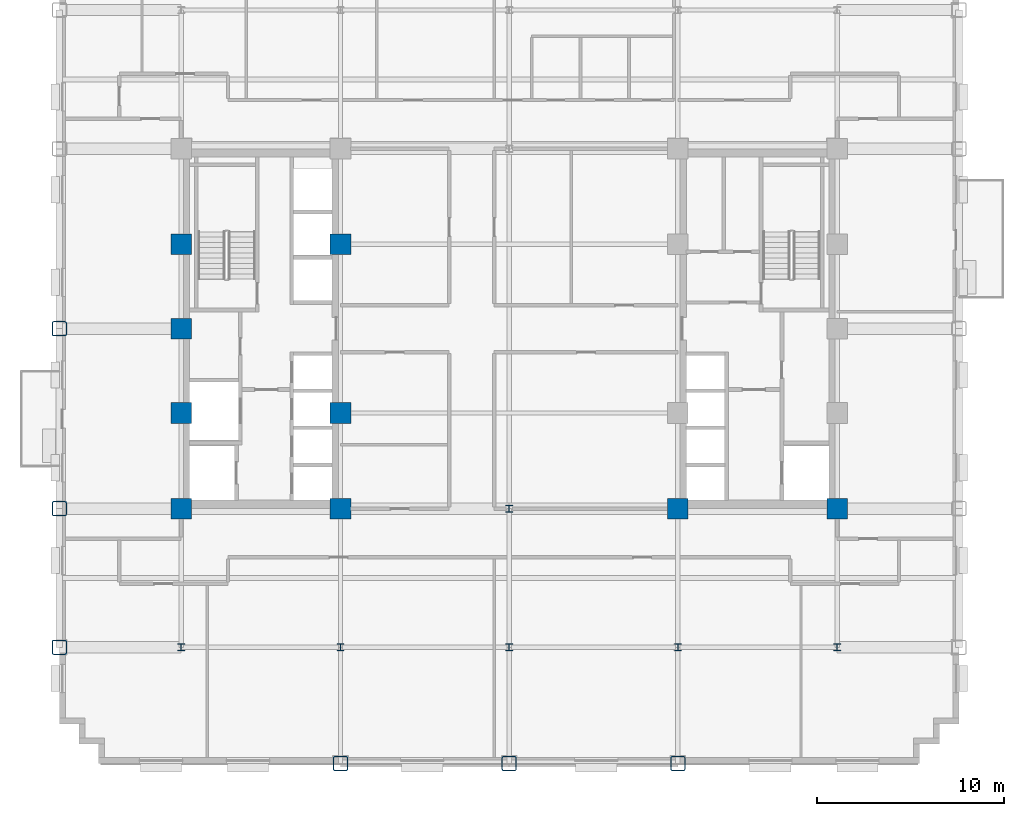
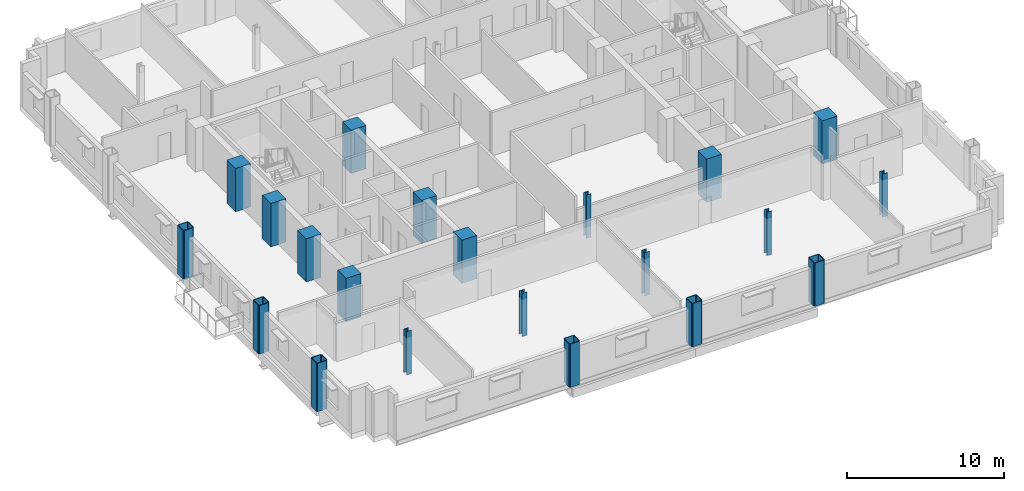
# One storey, part 1 of 15: 21 columns.
"""IFC4 building model written with IfcOpenShell, lengths in metres."""

from ifc_helpers import new_model, si_unit, direction, frame, origin, origin_2d, place, context, subcontext, project, spatial, rectangle, hollow_rectangle, i_section, extrude, material, material_profile, profile_set, type_object, element, save


model = new_model("IFC4")

# Units and contexts
model_context = context("Model", 3, precision=1e-05, world=origin(), true_north=direction((0.0, 1.0)))
body_context = subcontext(model_context, "Body", "Model", "MODEL_VIEW")
ifc_project = project(units=[si_unit("LENGTHUNIT", "METRE"), si_unit("AREAUNIT", "SQUARE_METRE"), si_unit("VOLUMEUNIT", "CUBIC_METRE"), si_unit("PLANEANGLEUNIT", "RADIAN"), si_unit("MASSUNIT", "GRAM", prefix="KILO")], contexts=[model_context])

# Site, building, storey
site_placement = place(None, origin())
site = spatial("IfcSite", under=ifc_project, at=site_placement, CompositionType="ELEMENT")
building_placement = place(site_placement, origin())
building = spatial("IfcBuilding", under=site, at=building_placement, Name="Nuvemarco Arch Tower", CompositionType="ELEMENT")
storey_placement = place(building_placement, frame((0.0, 0.0, 86.0)))
storey = spatial("IfcBuildingStorey", under=building, at=storey_placement, Name="L22", CompositionType="ELEMENT", Elevation=86.0)

# Columns
ifc_material_1 = material(Name="Concrete C60/75", Category="concrete")
ifc_material_profile_1 = material_profile(ifc_material_1, rectangle(XDim=1.10009765625, YDim=1.10009765625, at=origin_2d()), Name="RC-COL-1100x1100")
ifc_profile_set_1 = profile_set([ifc_material_profile_1], Name="Concrete C60/75")
column_type_1 = type_object("IfcColumnType", Name="COL-CORE-1100", PredefinedType="COLUMN", material=ifc_profile_set_1)
for number, where, z_axis, x_axis, name in (
    (1, (-17.5, -9.60009765625, 0.0), (0.0, 0.0, 1.0), (1.0, 0.0, 0.0), "L22 column CC_-17.5_-9.6"),
    (2, (-17.5, -4.5, 0.0), (0.0, 0.0, 1.0), (1.0, 0.0, 0.0), "L22 column CC_-17.5_-4.5"),
    (3, (-17.5, 4.5, 0.0), (0.0, 0.0, 1.0), (1.0, 0.0, 0.0), "L22 column CC_-17.5_+4.5"),
    (4, (-9.0, -9.60009765625, 0.0), (0.0, 0.0, 1.0), (1.0, 0.0, 0.0), "L22 column CC_-9.0_-9.6"),
    (5, (-9.0, -4.5, 0.0), (0.0, 0.0, 1.0), (1.0, 0.0, 0.0), "L22 column CC_-9.0_-4.5"),
    (6, (-9.0, 4.5, 0.0), (0.0, 0.0, 1.0), (1.0, 0.0, 0.0), "L22 column CC_-9.0_+4.5"),
    (7, (9.0, -9.60009765625, 0.0), (0.0, 0.0, 1.0), (1.0, 0.0, 0.0), "L22 column CC_+9.0_-9.6"),
    (8, (17.5, -9.60009765625, 0.0), (0.0, 0.0, 1.0), (1.0, 0.0, 0.0), "L22 column CC_+17.5_-9.6"),
    (9, (-17.5, 0.0, 0.0), (0.0, 0.0, 1.0), (1.0, 0.0, 0.0), "L22 column CC_-17.5_+0.0"),
):
    element("IfcColumn", number, at=place(storey_placement, frame(where, z_axis=z_axis, x_axis=x_axis)), inside=storey, type_object=column_type_1, Name=name, PredefinedType="COLUMN", context=body_context, shape_type="SweptSolid", body=[
        extrude(rectangle(XDim=1.10009765625, YDim=1.10009765625, at=origin_2d()), origin(), (0.0, 0.0, 1.0), 3.3701171875),
    ])
ifc_material_2 = material(Name="Steel S460", Category="steel")
ifc_material_profile_2 = material_profile(ifc_material_2, hollow_rectangle(XDim=0.800048828125, YDim=0.800048828125, WallThickness=0.054931640625, InnerFilletRadius=0.054931640625, OuterFilletRadius=0.110107421875, at=origin_2d()), Name="SHS800x800x55")
ifc_profile_set_2 = profile_set([ifc_material_profile_2], Name="Steel S460")
column_type_2 = type_object("IfcColumnType", Name="COL-EXO-800", PredefinedType="COLUMN", material=ifc_profile_set_2)
for number, where, z_axis, x_axis, name in (
    (10, (-24.0, -17.0, -0.39990234375), (0.0, 0.0, 1.0), (1.0, 0.0, 0.0), "L22 column CX_-24.0_-17.0"),
    (11, (-24.0, -9.60009765625, -0.39990234375), (0.0, 0.0, 1.0), (1.0, 0.0, 0.0), "L22 column CX_-24.0_-9.6"),
    (12, (-24.0, 0.0, -0.39990234375), (0.0, 0.0, 1.0), (1.0, 0.0, 0.0), "L22 column CX_-24.0_+0.0"),
):
    element("IfcColumn", number, at=place(storey_placement, frame(where, z_axis=z_axis, x_axis=x_axis)), inside=storey, type_object=column_type_2, Name=name, PredefinedType="COLUMN", context=body_context, shape_type="SweptSolid", body=[
        extrude(hollow_rectangle(XDim=0.800048828125, YDim=0.800048828125, WallThickness=0.054931640625, InnerFilletRadius=0.054931640625, OuterFilletRadius=0.110107421875, at=origin_2d()), origin(), (0.0, 0.0, 1.0), 3.77001953125),
    ])
for number, where, z_axis, x_axis, name in (
    (13, (-9.0, -23.199951171875, 0.0), (0.0, 0.0, 1.0), (1.0, 0.0, 0.0), "L22 column CY_-9.0_-23.2"),
    (14, (0.0, -23.199951171875, 0.0), (0.0, 0.0, 1.0), (1.0, 0.0, 0.0), "L22 column CY_+0.0_-23.2"),
    (15, (9.0, -23.199951171875, 0.0), (0.0, 0.0, 1.0), (1.0, 0.0, 0.0), "L22 column CY_+9.0_-23.2"),
):
    element("IfcColumn", number, at=place(storey_placement, frame(where, z_axis=z_axis, x_axis=x_axis)), inside=storey, type_object=column_type_2, Name=name, PredefinedType="COLUMN", context=body_context, shape_type="SweptSolid", body=[
        extrude(hollow_rectangle(XDim=0.800048828125, YDim=0.800048828125, WallThickness=0.054931640625, InnerFilletRadius=0.054931640625, OuterFilletRadius=0.110107421875, at=origin_2d()), origin(), (0.0, 0.0, 1.0), 3.3701171875),
    ])
ifc_material_3 = material(Name="Steel S355", Category="steel")
ifc_material_profile_3 = material_profile(ifc_material_3, i_section(OverallWidth=0.360107421875, OverallDepth=0.360107421875, WebThickness=0.0205078125, FlangeThickness=0.0205078125, FilletRadius=0.01806640625, at=origin_2d()), Name="HP360x174")
ifc_profile_set_3 = profile_set([ifc_material_profile_3], Name="Steel S355")
column_type_3 = type_object("IfcColumnType", Name="COL-STL-HP360", PredefinedType="COLUMN", material=ifc_profile_set_3)
for number, where, z_axis, x_axis, name in (
    (16, (0.0, -17.0, 0.0), (0.0, 0.0, 1.0), (1.0, 0.0, 0.0), "L22 column CI_+0.0_-17.0"),
    (17, (0.0, -9.60009765625, 0.0), (0.0, 0.0, 1.0), (1.0, 0.0, 0.0), "L22 column CI_+0.0_-9.6"),
    (18, (-17.5, -17.0, 0.0), (0.0, 0.0, 1.0), (1.0, 0.0, 0.0), "L22 column CI_-17.5_-17.0"),
    (19, (-9.0, -17.0, 0.0), (0.0, 0.0, 1.0), (1.0, 0.0, 0.0), "L22 column CI_-9.0_-17.0"),
    (20, (9.0, -17.0, 0.0), (0.0, 0.0, 1.0), (1.0, 0.0, 0.0), "L22 column CI_+9.0_-17.0"),
    (21, (17.5, -17.0, 0.0), (0.0, 0.0, 1.0), (1.0, 0.0, 0.0), "L22 column CI_+17.5_-17.0"),
):
    element("IfcColumn", number, at=place(storey_placement, frame(where, z_axis=z_axis, x_axis=x_axis)), inside=storey, type_object=column_type_3, Name=name, PredefinedType="COLUMN", context=body_context, shape_type="SweptSolid", body=[
        extrude(i_section(OverallWidth=0.360107421875, OverallDepth=0.360107421875, WebThickness=0.0205078125, FlangeThickness=0.0205078125, FilletRadius=0.01806640625, at=origin_2d()), origin(), (0.0, 0.0, 1.0), 3.3701171875),
    ])

save(model, "model.ifc")
